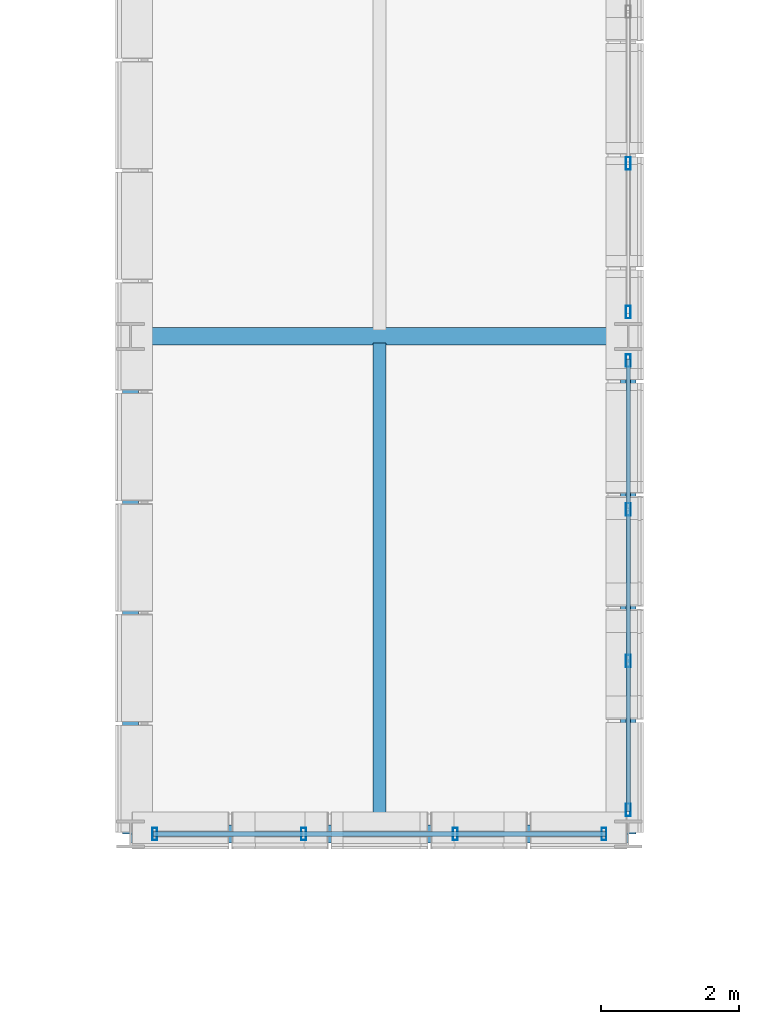
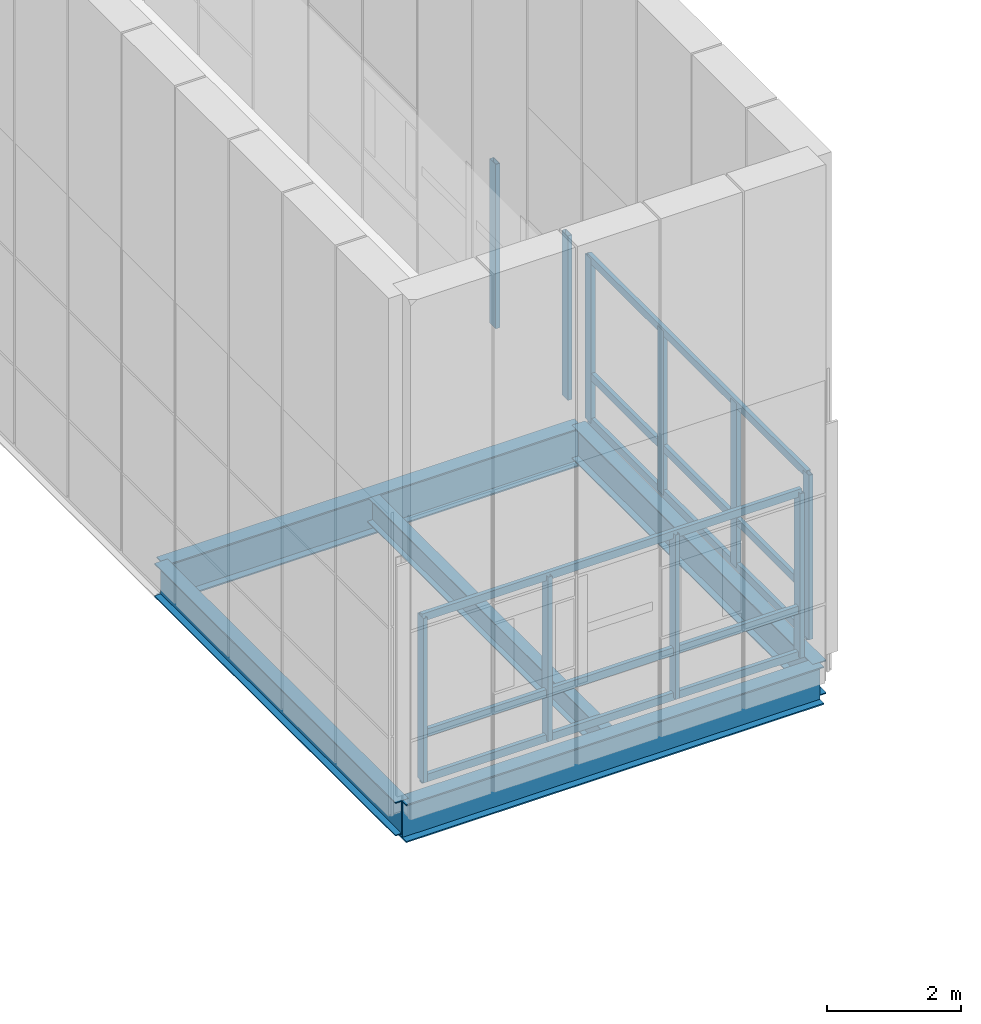
# One storey, part 14 of 144: 16 members, 5 beams, 3 elements without a shape of their own.
"""IFC4 building model written with IfcOpenShell, lengths in metres."""

from ifc_helpers import new_model, si_unit, direction, frame, origin, origin_2d, place, context, subcontext, project, spatial, hollow_rectangle, i_section, extrude, material, material_profile, profile_set, type_object, element, aggregate, save


model = new_model("IFC4")

# Units and contexts
model_context = context("Model", 3, precision=1e-05, world=origin(), true_north=direction((0.0, 1.0)))
body_context = subcontext(model_context, "Body", "Model", "MODEL_VIEW")
ifc_project = project(units=[si_unit("LENGTHUNIT", "METRE"), si_unit("AREAUNIT", "SQUARE_METRE"), si_unit("VOLUMEUNIT", "CUBIC_METRE"), si_unit("PLANEANGLEUNIT", "RADIAN"), si_unit("MASSUNIT", "GRAM", prefix="KILO")], contexts=[model_context])

# Site, building, storey
site_placement = place(None, origin())
site = spatial("IfcSite", under=ifc_project, at=site_placement, CompositionType="ELEMENT")
building_placement = place(site_placement, origin())
building = spatial("IfcBuilding", under=site, at=building_placement, Name="Yarey Park Central Fire Station", CompositionType="ELEMENT")
storey_placement = place(building_placement, frame((0.0, 0.0, 10.199951171875)))
storey = spatial("IfcBuildingStorey", under=building, at=storey_placement, Name="L03", CompositionType="ELEMENT", Elevation=10.199951171875)

# Curtain wall, members
ifc_material_1 = material(Name="Anodized Aluminium Frame", Category="aluminium")
curtain_wall_type = type_object("IfcCurtainWallType", Name="ENV_CW_V3_OVR1", PredefinedType="NOTDEFINED", material=ifc_material_1)
curtain_wall_1_placement = place(storey_placement, origin())
curtain_wall_1 = element("IfcCurtainWall", 1, at=curtain_wall_1_placement, inside=storey, type_object=curtain_wall_type, Name="CW_L03_V1_SE_055", PredefinedType="NOTDEFINED")
ifc_material_profile_1 = material_profile(ifc_material_1, hollow_rectangle(XDim=0.070068359375, YDim=0.179931640625, WallThickness=0.00390625, at=origin_2d()), Name="ALU 180x70x4")
ifc_profile_set_1 = profile_set([ifc_material_profile_1], Name="Anodized Aluminium Frame")
member_type_1 = type_object("IfcMemberType", Name="ENV_CW_MULLION", PredefinedType="MULLION", material=ifc_profile_set_1)
member_1_placement = place(storey_placement, frame((50.75, 21.60009765625, 0.0), z_axis=(0.0, 0.0, 1.0), x_axis=(1.0, 0.0, 0.0)))
member_1 = element("IfcMember", 2, at=member_1_placement, type_object=member_type_1, Name="CW_L03_V1_SE_055_MUL1", PredefinedType="MULLION", context=body_context, shape_type="SweptSolid", body=[
    extrude(hollow_rectangle(XDim=0.070068359375, YDim=0.179931640625, WallThickness=0.00390625, at=origin_2d()), origin(), (0.0, 0.0, 1.0), 3.0),
])
member_2_placement = place(storey_placement, frame((52.9033203125, 21.60009765625, 0.0), z_axis=(0.0, 0.0, 1.0), x_axis=(1.0, 0.0, 0.0)))
member_2 = element("IfcMember", 3, at=member_2_placement, type_object=member_type_1, Name="CW_L03_V1_SE_055_MUL2", PredefinedType="MULLION", context=body_context, shape_type="SweptSolid", body=[
    extrude(hollow_rectangle(XDim=0.070068359375, YDim=0.179931640625, WallThickness=0.00390625, at=origin_2d()), origin(), (0.0, 0.0, 1.0), 3.0),
])
member_3_placement = place(storey_placement, frame((55.0966796875, 21.60009765625, 0.0), z_axis=(0.0, 0.0, 1.0), x_axis=(1.0, 0.0, 0.0)))
member_3 = element("IfcMember", 4, at=member_3_placement, type_object=member_type_1, Name="CW_L03_V1_SE_055_MUL3", PredefinedType="MULLION", context=body_context, shape_type="SweptSolid", body=[
    extrude(hollow_rectangle(XDim=0.070068359375, YDim=0.179931640625, WallThickness=0.00390625, at=origin_2d()), origin(), (0.0, 0.0, 1.0), 3.0),
])
member_4_placement = place(storey_placement, frame((57.25, 21.60009765625, 0.0), z_axis=(0.0, 0.0, 1.0), x_axis=(1.0, 0.0, 0.0)))
member_4 = element("IfcMember", 5, at=member_4_placement, type_object=member_type_1, Name="CW_L03_V1_SE_055_MUL4", PredefinedType="MULLION", context=body_context, shape_type="SweptSolid", body=[
    extrude(hollow_rectangle(XDim=0.070068359375, YDim=0.179931640625, WallThickness=0.00390625, at=origin_2d()), origin(), (0.0, 0.0, 1.0), 3.0),
])

curtain_wall_2_placement = place(storey_placement, origin())
curtain_wall_2 = element("IfcCurtainWall", 6, at=curtain_wall_2_placement, inside=storey, type_object=curtain_wall_type, Name="CW_L03_V1_E_056", PredefinedType="NOTDEFINED")
member_5_placement = place(storey_placement, frame((57.60009765625, 21.949951171875, 0.0), z_axis=(0.0, 0.0, 1.0), x_axis=(1.0, 0.0, 0.0)))
member_5 = element("IfcMember", 7, at=member_5_placement, type_object=member_type_1, Name="CW_L03_V1_E_056_MUL1", PredefinedType="MULLION", context=body_context, shape_type="SweptSolid", body=[
    extrude(hollow_rectangle(XDim=0.070068359375, YDim=0.179931640625, WallThickness=0.00390625, at=origin_2d()), origin(), (0.0, 0.0, 1.0), 3.0),
])
member_6_placement = place(storey_placement, frame((57.60009765625, 24.103271484375, 0.0), z_axis=(0.0, 0.0, 1.0), x_axis=(1.0, 0.0, 0.0)))
member_6 = element("IfcMember", 8, at=member_6_placement, type_object=member_type_1, Name="CW_L03_V1_E_056_MUL2", PredefinedType="MULLION", context=body_context, shape_type="SweptSolid", body=[
    extrude(hollow_rectangle(XDim=0.070068359375, YDim=0.179931640625, WallThickness=0.00390625, at=origin_2d()), origin(), (0.0, 0.0, 1.0), 3.0),
])
member_7_placement = place(storey_placement, frame((57.60009765625, 26.296630859375, 0.0), z_axis=(0.0, 0.0, 1.0), x_axis=(1.0, 0.0, 0.0)))
member_7 = element("IfcMember", 9, at=member_7_placement, type_object=member_type_1, Name="CW_L03_V1_E_056_MUL3", PredefinedType="MULLION", context=body_context, shape_type="SweptSolid", body=[
    extrude(hollow_rectangle(XDim=0.070068359375, YDim=0.179931640625, WallThickness=0.00390625, at=origin_2d()), origin(), (0.0, 0.0, 1.0), 3.0),
])
member_8_placement = place(storey_placement, frame((57.60009765625, 28.449951171875, 0.0), z_axis=(0.0, 0.0, 1.0), x_axis=(1.0, 0.0, 0.0)))
member_8 = element("IfcMember", 10, at=member_8_placement, type_object=member_type_1, Name="CW_L03_V1_E_056_MUL4", PredefinedType="MULLION", context=body_context, shape_type="SweptSolid", body=[
    extrude(hollow_rectangle(XDim=0.070068359375, YDim=0.179931640625, WallThickness=0.00390625, at=origin_2d()), origin(), (0.0, 0.0, 1.0), 3.0),
])

curtain_wall_3_placement = place(storey_placement, origin())
curtain_wall_3 = element("IfcCurtainWall", 11, at=curtain_wall_3_placement, inside=storey, type_object=curtain_wall_type, Name="CW_L03_V1_E_057", PredefinedType="NOTDEFINED")
member_9_placement = place(storey_placement, frame((57.60009765625, 29.14990234375, 0.0), z_axis=(0.0, 0.0, 1.0), x_axis=(1.0, 0.0, 0.0)))
member_9 = element("IfcMember", 12, at=member_9_placement, type_object=member_type_1, Name="CW_L03_V1_E_057_MUL1", PredefinedType="MULLION", context=body_context, shape_type="SweptSolid", body=[
    extrude(hollow_rectangle(XDim=0.070068359375, YDim=0.179931640625, WallThickness=0.00390625, at=origin_2d()), origin(), (0.0, 0.0, 1.0), 3.0),
])
member_10_placement = place(storey_placement, frame((57.60009765625, 31.30322265625, 0.0), z_axis=(0.0, 0.0, 1.0), x_axis=(1.0, 0.0, 0.0)))
member_10 = element("IfcMember", 13, at=member_10_placement, type_object=member_type_1, Name="CW_L03_V1_E_057_MUL2", PredefinedType="MULLION", context=body_context, shape_type="SweptSolid", body=[
    extrude(hollow_rectangle(XDim=0.070068359375, YDim=0.179931640625, WallThickness=0.00390625, at=origin_2d()), origin(), (0.0, 0.0, 1.0), 3.0),
])
aggregate(curtain_wall_3, [member_9, member_10])

# Member
ifc_material_profile_2 = material_profile(ifc_material_1, hollow_rectangle(XDim=0.070068359375, YDim=0.139892578125, WallThickness=0.00390625, at=origin_2d()), Name="ALU 140x70x4")
ifc_profile_set_2 = profile_set([ifc_material_profile_2], Name="Anodized Aluminium Frame")
member_type_2 = type_object("IfcMemberType", Name="ENV_CW_TRANSOM", PredefinedType="USERDEFINED", material=ifc_profile_set_2)
member_11_placement = place(storey_placement, frame((50.72509765625, 21.60009765625, 0.025146484375), z_axis=(1.0, 0.0, 0.0), x_axis=(0.0, 1.0, 0.0)))
member_11 = element("IfcMember", 14, at=member_11_placement, type_object=member_type_2, Name="CW_L03_V1_SE_055_TRN1", ObjectType="TRANSOM", PredefinedType="USERDEFINED", context=body_context, shape_type="SweptSolid", body=[
    extrude(hollow_rectangle(XDim=0.070068359375, YDim=0.139892578125, WallThickness=0.00390625, at=origin_2d()), origin(), (0.0, 0.0, 1.0), 6.5498046875),
])

member_12_placement = place(storey_placement, frame((50.72509765625, 21.60009765625, 0.85009765625), z_axis=(1.0, 0.0, 0.0), x_axis=(0.0, 1.0, 0.0)))
member_12 = element("IfcMember", 15, at=member_12_placement, type_object=member_type_2, Name="CW_L03_V1_SE_055_TRN2", ObjectType="TRANSOM", PredefinedType="USERDEFINED", context=body_context, shape_type="SweptSolid", body=[
    extrude(hollow_rectangle(XDim=0.070068359375, YDim=0.139892578125, WallThickness=0.00390625, at=origin_2d()), origin(), (0.0, 0.0, 1.0), 6.5498046875),
])

member_13_placement = place(storey_placement, frame((50.72509765625, 21.60009765625, 2.97509765625), z_axis=(1.0, 0.0, 0.0), x_axis=(0.0, 1.0, 0.0)))
member_13 = element("IfcMember", 16, at=member_13_placement, type_object=member_type_2, Name="CW_L03_V1_SE_055_TRN3", ObjectType="TRANSOM", PredefinedType="USERDEFINED", context=body_context, shape_type="SweptSolid", body=[
    extrude(hollow_rectangle(XDim=0.070068359375, YDim=0.139892578125, WallThickness=0.00390625, at=origin_2d()), origin(), (0.0, 0.0, 1.0), 6.5498046875),
])

aggregate(curtain_wall_1, [member_1, member_2, member_3, member_4, member_11, member_12, member_13])

member_14_placement = place(storey_placement, frame((57.60009765625, 21.925048828125, 0.025146484375), z_axis=(0.0, 1.0, 0.0), x_axis=(-1.0, 0.0, 0.0)))
member_14 = element("IfcMember", 17, at=member_14_placement, type_object=member_type_2, Name="CW_L03_V1_E_056_TRN1", ObjectType="TRANSOM", PredefinedType="USERDEFINED", context=body_context, shape_type="SweptSolid", body=[
    extrude(hollow_rectangle(XDim=0.070068359375, YDim=0.139892578125, WallThickness=0.00390625, at=origin_2d()), origin(), (0.0, 0.0, 1.0), 6.550048828125),
])

member_15_placement = place(storey_placement, frame((57.60009765625, 21.925048828125, 0.85009765625), z_axis=(0.0, 1.0, 0.0), x_axis=(-1.0, 0.0, 0.0)))
member_15 = element("IfcMember", 18, at=member_15_placement, type_object=member_type_2, Name="CW_L03_V1_E_056_TRN2", ObjectType="TRANSOM", PredefinedType="USERDEFINED", context=body_context, shape_type="SweptSolid", body=[
    extrude(hollow_rectangle(XDim=0.070068359375, YDim=0.139892578125, WallThickness=0.00390625, at=origin_2d()), origin(), (0.0, 0.0, 1.0), 6.550048828125),
])

member_16_placement = place(storey_placement, frame((57.60009765625, 21.925048828125, 2.97509765625), z_axis=(0.0, 1.0, 0.0), x_axis=(-1.0, 0.0, 0.0)))
member_16 = element("IfcMember", 19, at=member_16_placement, type_object=member_type_2, Name="CW_L03_V1_E_056_TRN3", ObjectType="TRANSOM", PredefinedType="USERDEFINED", context=body_context, shape_type="SweptSolid", body=[
    extrude(hollow_rectangle(XDim=0.070068359375, YDim=0.139892578125, WallThickness=0.00390625, at=origin_2d()), origin(), (0.0, 0.0, 1.0), 6.550048828125),
])

aggregate(curtain_wall_2, [member_5, member_6, member_7, member_8, member_14, member_15, member_16])

# Beams
ifc_material_2 = material(Name="Steel ASTM A992 Gr. 50", Category="steel")
ifc_material_profile_3 = material_profile(ifc_material_2, i_section(OverallWidth=0.22900390625, OverallDepth=0.612060546875, WebThickness=0.011962890625, FlangeThickness=0.01953125, at=origin_2d()), Name="W610x125")
ifc_profile_set_3 = profile_set([ifc_material_profile_3], Name="Steel ASTM A992 Gr. 50")
beam_type_1 = type_object("IfcBeamType", Name="STR_BM_W610", PredefinedType="BEAM", material=ifc_profile_set_3)
for number, where, z_axis, x_axis, name in (
    (20, (50.39990234375, 21.60009765625, -0.56591796875), (0.0, 1.0, 0.0), (-1.0, 0.0, 0.0), "BMY L03 X504 Y216"),
    (21, (57.60009765625, 21.60009765625, -0.56591796875), (0.0, 1.0, 0.0), (-1.0, 0.0, 0.0), "BMY L03 X576 Y216"),
):
    element("IfcBeam", number, at=place(storey_placement, frame(where, z_axis=z_axis, x_axis=x_axis)), inside=storey, type_object=beam_type_1, Name=name, PredefinedType="BEAM", context=body_context, shape_type="SweptSolid", body=[
        extrude(i_section(OverallWidth=0.22900390625, OverallDepth=0.612060546875, WebThickness=0.011962890625, FlangeThickness=0.01953125, at=origin_2d()), origin(), (0.0, 0.0, 1.0), 7.199951171875),
    ])
ifc_material_profile_4 = material_profile(ifc_material_2, i_section(OverallWidth=0.256103515625, OverallDepth=0.693115234375, WebThickness=0.014404296875, FlangeThickness=0.023681640625, at=origin_2d()), Name="W690x170")
ifc_profile_set_4 = profile_set([ifc_material_profile_4], Name="Steel ASTM A992 Gr. 50")
beam_type_2 = type_object("IfcBeamType", Name="STR_BM_W690", PredefinedType="BEAM", material=ifc_profile_set_4)
for number, where, z_axis, x_axis, name in (
    (22, (50.39990234375, 21.60009765625, -0.6064453125), (1.0, 0.0, 0.0), (0.0, 1.0, 0.0), "BMX L03 Y216 X504"),
    (23, (50.39990234375, 28.800048828125, -0.6064453125), (1.0, 0.0, 0.0), (0.0, 1.0, 0.0), "BMX L03 Y288 X504"),
):
    element("IfcBeam", number, at=place(storey_placement, frame(where, z_axis=z_axis, x_axis=x_axis)), inside=storey, type_object=beam_type_2, Name=name, PredefinedType="BEAM", context=body_context, shape_type="SweptSolid", body=[
        extrude(i_section(OverallWidth=0.256103515625, OverallDepth=0.693115234375, WebThickness=0.014404296875, FlangeThickness=0.023681640625, at=origin_2d()), origin(), (0.0, 0.0, 1.0), 7.2001953125),
    ])
ifc_material_profile_5 = material_profile(ifc_material_2, i_section(OverallWidth=0.18994140625, OverallDepth=0.45703125, WebThickness=0.009033203125, FlangeThickness=0.014404296875, at=origin_2d()), Name="W460x74")
ifc_profile_set_5 = profile_set([ifc_material_profile_5], Name="Steel ASTM A992 Gr. 50")
beam_type_3 = type_object("IfcBeamType", Name="STR_JST_W460", PredefinedType="JOIST", material=ifc_profile_set_5)
beam_placement = place(storey_placement, frame((54.0, 21.695068359375, -0.488525390625), z_axis=(0.0, 1.0, 0.0), x_axis=(-1.0, 0.0, 0.0)))
element("IfcBeam", 24, at=beam_placement, inside=storey, type_object=beam_type_3, Name="JST L03 X540 Y216", PredefinedType="JOIST", context=body_context, shape_type="SweptSolid", body=[
    extrude(i_section(OverallWidth=0.18994140625, OverallDepth=0.45703125, WebThickness=0.009033203125, FlangeThickness=0.014404296875, at=origin_2d()), origin(), (0.0, 0.0, 1.0), 7.010009765625),
])

save(model, "model.ifc")
